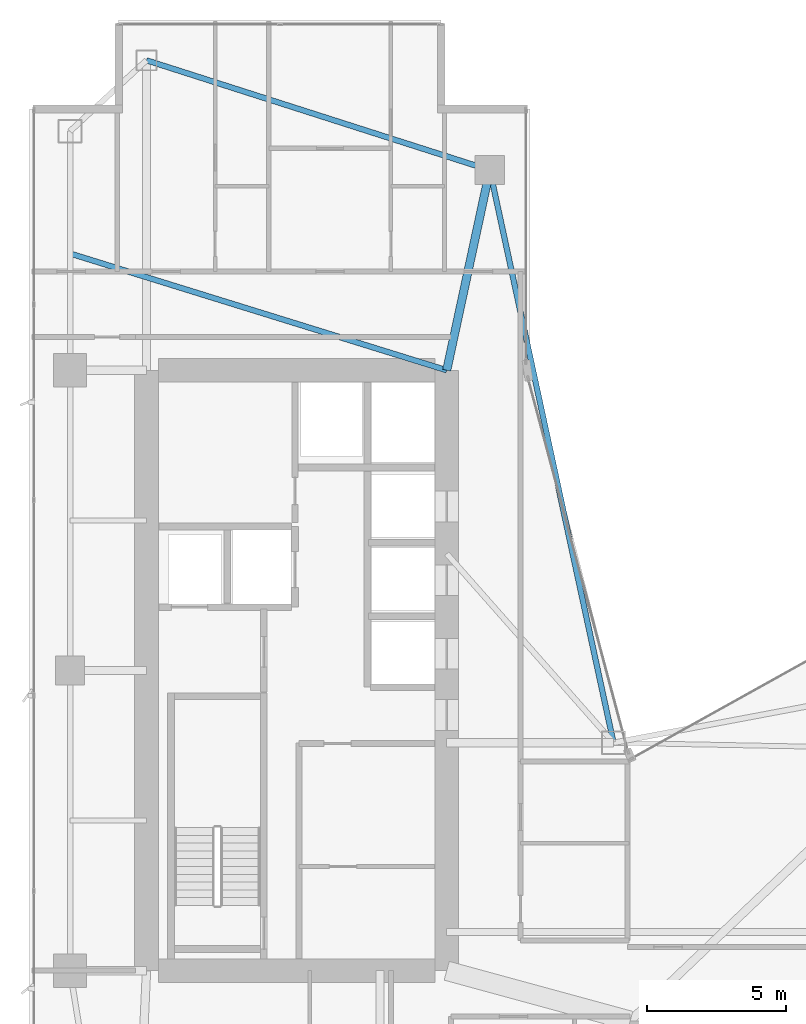
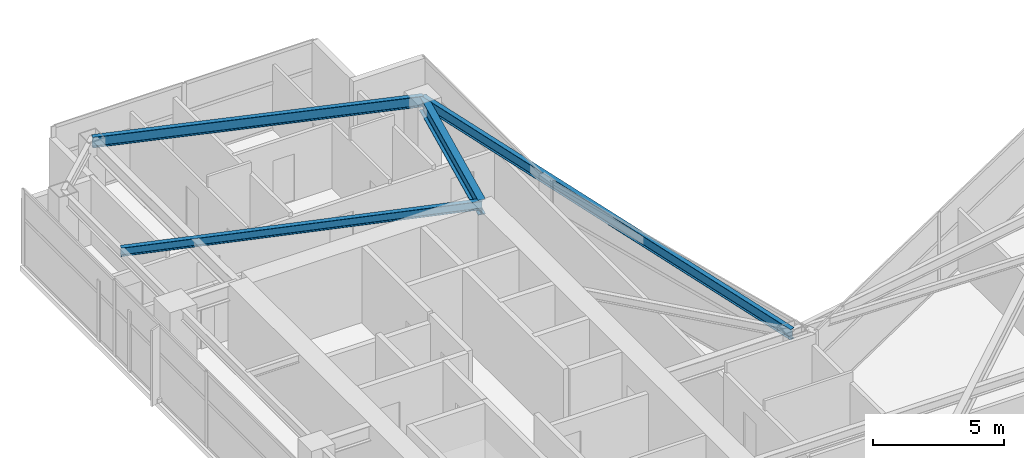
# One storey, part 17 of 28: 4 beams.
"""IFC4 building model written with IfcOpenShell, lengths in metres."""

from ifc_helpers import new_model, si_unit, direction, frame, origin, origin_2d, place, context, subcontext, project, spatial, i_section, extrude, material, material_profile, profile_set, type_object, element, save


model = new_model("IFC4")

# Units and contexts
model_context = context("Model", 3, precision=1e-05, world=origin(), true_north=direction((0.0, 1.0)))
body_context = subcontext(model_context, "Body", "Model", "MODEL_VIEW")
ifc_project = project(units=[si_unit("LENGTHUNIT", "METRE"), si_unit("AREAUNIT", "SQUARE_METRE"), si_unit("VOLUMEUNIT", "CUBIC_METRE"), si_unit("PLANEANGLEUNIT", "RADIAN"), si_unit("MASSUNIT", "GRAM", prefix="KILO")], contexts=[model_context])

# Site, building, storey
site_placement = place(None, origin())
site = spatial("IfcSite", under=ifc_project, at=site_placement, CompositionType="ELEMENT")
building_placement = place(site_placement, origin())
building = spatial("IfcBuilding", under=site, at=building_placement, Name="Calvorn Quay Hotel", CompositionType="ELEMENT")
storey_placement = place(building_placement, frame((0.0, 0.0, 127.800048828125)))
storey = spatial("IfcBuildingStorey", under=building, at=storey_placement, Name="L31", CompositionType="ELEMENT", Elevation=127.800048828125)

# Beams
ifc_material_1 = material(Name="Steel Q390GJC", Category="steel")
ifc_material_profile_1 = material_profile(ifc_material_1, i_section(OverallWidth=0.300048828125, OverallDepth=0.699951171875, WebThickness=0.012939453125, FlangeThickness=0.02392578125, FilletRadius=0.02392578125, at=origin_2d()), Name="HN700x300x13x24")
ifc_profile_set_1 = profile_set([ifc_material_profile_1], Name="Steel Q390GJC")
beam_type_1 = type_object("IfcBeamType", Name="BM-GIRD-MAIN", PredefinedType="BEAM", material=ifc_profile_set_1)
beam_1_placement = place(storey_placement, frame((16.550048828125, 45.60009765625, 3.18994140625), z_axis=(-0.210457140491, -0.97760308511, 0.0), x_axis=(0.97760308511, -0.210457140491, 0.0)))
element("IfcBeam", 1, at=beam_1_placement, inside=storey, type_object=beam_type_1, Name="Beam BG-L31-W6", PredefinedType="BEAM", context=body_context, shape_type="SweptSolid", body=[
    extrude(i_section(OverallWidth=0.300048828125, OverallDepth=0.699951171875, WebThickness=0.012939453125, FlangeThickness=0.02392578125, FilletRadius=0.02392578125, at=origin_2d()), origin(), (0.0, 0.0, 1.0), 7.365234375),
])
ifc_material_2 = material(Name="Steel Q355B", Category="steel")
ifc_material_profile_2 = material_profile(ifc_material_2, i_section(OverallWidth=0.199951171875, OverallDepth=0.39990234375, WebThickness=0.008056640625, FlangeThickness=0.012939453125, FilletRadius=0.01611328125, at=origin_2d()), Name="HN400x200x8x13")
ifc_profile_set_2 = profile_set([ifc_material_profile_2], Name="Steel Q355B")
beam_type_2 = type_object("IfcBeamType", Name="BM-JOIST-TYP", PredefinedType="JOIST", material=ifc_profile_set_2)
beam_2_placement = place(storey_placement, frame((1.449951171875, 42.60009765625, 3.33984375), z_axis=(0.955163702122, -0.296078202759, 0.0), x_axis=(0.296078202759, 0.955163702122, 0.0)))
element("IfcBeam", 2, at=beam_2_placement, inside=storey, type_object=beam_type_2, Name="Beam BJ-L31-W2", PredefinedType="JOIST", context=body_context, shape_type="SweptSolid", body=[
    extrude(i_section(OverallWidth=0.199951171875, OverallDepth=0.39990234375, WebThickness=0.008056640625, FlangeThickness=0.012939453125, FilletRadius=0.01611328125, at=origin_2d()), origin(), (0.0, 0.0, 1.0), 14.18603515625),
])
ifc_material_3 = material(Name="Steel Q355B", Category="steel")
ifc_material_profile_3 = material_profile(ifc_material_3, i_section(OverallWidth=0.199951171875, OverallDepth=0.5, WebThickness=0.010009765625, FlangeThickness=0.01611328125, FilletRadius=0.01611328125, at=origin_2d()), Name="HN500x200x10x16")
ifc_profile_set_3 = profile_set([ifc_material_profile_3], Name="Steel Q355B")
beam_type_3 = type_object("IfcBeamType", Name="BM-SPANDREL-Z1", PredefinedType="SPANDREL", material=ifc_profile_set_3)
beam_3_placement = place(storey_placement, frame((4.199951171875, 49.550048828125, 3.2900390625), z_axis=(0.952470702374, -0.304630203885, 0.0), x_axis=(0.304630203885, 0.952470702374, 0.0)))
element("IfcBeam", 3, at=beam_3_placement, inside=storey, type_object=beam_type_3, Name="Beam BSP-L31-W6", PredefinedType="SPANDREL", context=body_context, shape_type="SweptSolid", body=[
    extrude(i_section(OverallWidth=0.199951171875, OverallDepth=0.5, WebThickness=0.010009765625, FlangeThickness=0.01611328125, FilletRadius=0.01611328125, at=origin_2d()), origin(), (0.0, 0.0, 1.0), 12.96630859375),
])
beam_4_placement = place(storey_placement, frame((16.550048828125, 45.60009765625, 3.2900390625), z_axis=(0.211145848376, -0.977454567084, 0.0), x_axis=(0.977454567084, 0.211145848376, 0.0)))
element("IfcBeam", 4, at=beam_4_placement, inside=storey, type_object=beam_type_3, Name="Beam BSP-L31-W7", PredefinedType="SPANDREL", context=body_context, shape_type="SweptSolid", body=[
    extrude(i_section(OverallWidth=0.199951171875, OverallDepth=0.5, WebThickness=0.010009765625, FlangeThickness=0.01611328125, FilletRadius=0.01611328125, at=origin_2d()), origin(), (0.0, 0.0, 1.0), 21.0751953125),
])

save(model, "model.ifc")
